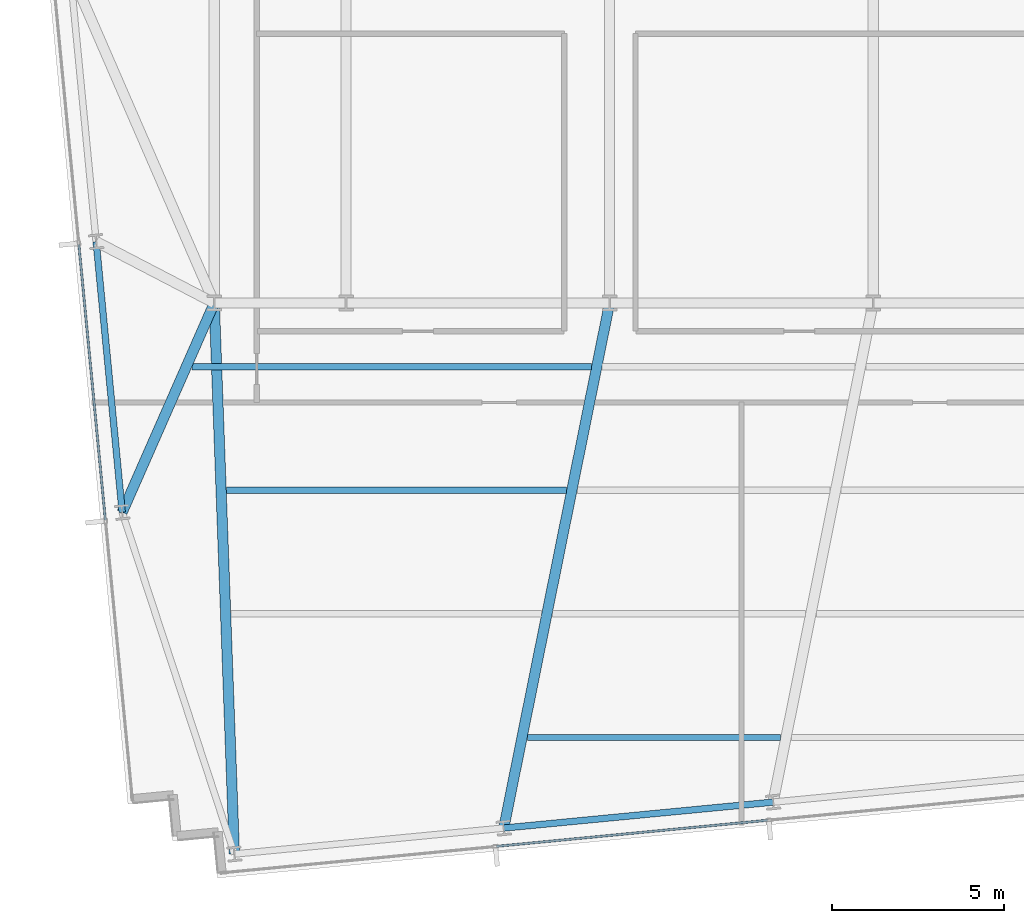
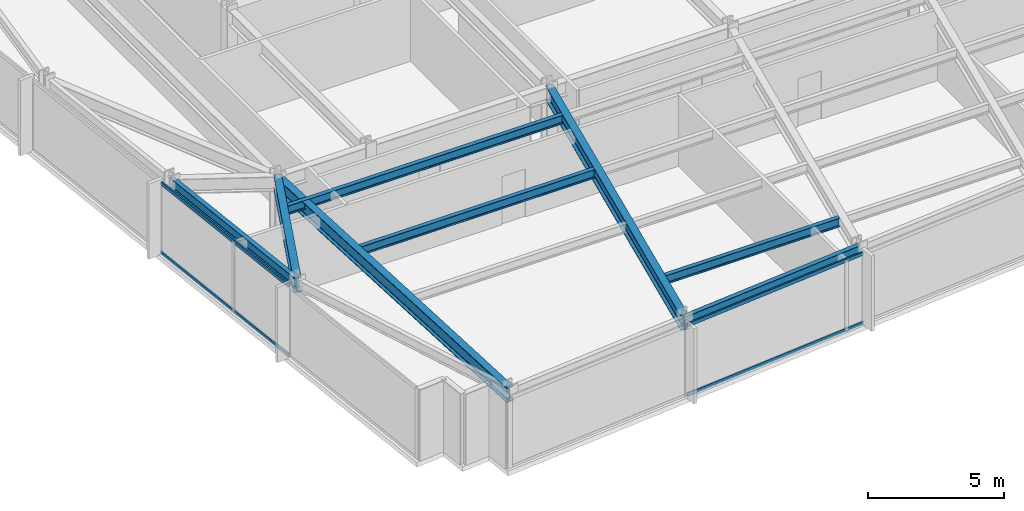
# One storey, part 3 of 32: 8 beams, 4 members, 2 elements without a shape of their own.
"""IFC4 building model written with IfcOpenShell, lengths in metres."""

from ifc_helpers import new_model, si_unit, direction, frame, origin, origin_2d, place, context, subcontext, project, spatial, hollow_rectangle, i_section, extrude, material, material_profile, profile_set, type_object, element, aggregate, save


model = new_model("IFC4")

# Units and contexts
model_context = context("Model", 3, precision=1e-05, world=origin(), true_north=direction((0.0, 1.0)))
body_context = subcontext(model_context, "Body", "Model", "MODEL_VIEW")
ifc_project = project(units=[si_unit("LENGTHUNIT", "METRE"), si_unit("AREAUNIT", "SQUARE_METRE"), si_unit("VOLUMEUNIT", "CUBIC_METRE"), si_unit("PLANEANGLEUNIT", "RADIAN"), si_unit("MASSUNIT", "GRAM", prefix="KILO")], contexts=[model_context])

# Site, building, storey
site_placement = place(None, origin())
site = spatial("IfcSite", under=ifc_project, at=site_placement, CompositionType="ELEMENT")
building_placement = place(site_placement, origin())
building = spatial("IfcBuilding", under=site, at=building_placement, Name="Yelkora Congress Tower", CompositionType="ELEMENT")
storey_placement = place(building_placement, frame((0.0, 0.0, 96.5)))
storey = spatial("IfcBuildingStorey", under=building, at=storey_placement, Name="L25", CompositionType="ELEMENT", Elevation=96.5)

# Beams
ifc_material_1 = material(Name="Steel S355J2", Category="steel")
ifc_material_profile_1 = material_profile(ifc_material_1, i_section(OverallWidth=0.300048828125, OverallDepth=0.64990234375, WebThickness=0.01611328125, FlangeThickness=0.031005859375, FilletRadius=0.027099609375, at=origin_2d()), Name="HEB 650")
ifc_profile_set_1 = profile_set([ifc_material_profile_1], Name="Steel S355J2")
beam_type_1 = type_object("IfcBeamType", Name="BM-GIRD-HEB650", PredefinedType="BEAM", material=ifc_profile_set_1)
beam_1_placement = place(storey_placement, frame((19.785888671875, 9.144287109375, 2.85498046875), z_axis=(-0.03646985294, 0.999334753637, 0.0), x_axis=(-0.999334753637, -0.03646985294, 0.0)))
element("IfcBeam", 1, at=beam_1_placement, inside=storey, type_object=beam_type_1, Name="L25 Primary Frame Girder S01", PredefinedType="BEAM", context=body_context, shape_type="SweptSolid", body=[
    extrude(i_section(OverallWidth=0.300048828125, OverallDepth=0.64990234375, WebThickness=0.01611328125, FlangeThickness=0.031005859375, FilletRadius=0.027099609375, at=origin_2d()), origin(), (0.0, 0.0, 1.0), 16.06640625),
])
beam_2_placement = place(storey_placement, frame((27.635498046875, 9.900146484375, 2.85498046875), z_axis=(0.197625995154, 0.980277494406, 0.0), x_axis=(-0.980277494406, 0.197625995154, 0.0)))
element("IfcBeam", 2, at=beam_2_placement, inside=storey, type_object=beam_type_1, Name="L25 Primary Frame Girder S02", PredefinedType="BEAM", context=body_context, shape_type="SweptSolid", body=[
    extrude(i_section(OverallWidth=0.300048828125, OverallDepth=0.64990234375, WebThickness=0.01611328125, FlangeThickness=0.031005859375, FilletRadius=0.027099609375, at=origin_2d()), origin(), (0.0, 0.0, 1.0), 15.607666015625),
])
beam_3_placement = place(storey_placement, frame((16.5166015625, 19.101806640625, 2.85498046875), z_axis=(0.402759490709, 0.915305846504, 0.0), x_axis=(-0.915305846504, 0.402759490709, 0.0)))
element("IfcBeam", 3, at=beam_3_placement, inside=storey, type_object=beam_type_1, Name="L25 Primary Frame Girder W01", PredefinedType="BEAM", context=body_context, shape_type="SweptSolid", body=[
    extrude(i_section(OverallWidth=0.300048828125, OverallDepth=0.64990234375, WebThickness=0.01611328125, FlangeThickness=0.031005859375, FilletRadius=0.027099609375, at=origin_2d()), origin(), (0.0, 0.0, 1.0), 6.662353515625),
])
ifc_material_profile_2 = material_profile(ifc_material_1, i_section(OverallWidth=0.179931640625, OverallDepth=0.39990234375, WebThickness=0.008544921875, FlangeThickness=0.013427734375, FilletRadius=0.02099609375, at=origin_2d()), Name="IPE 400")
ifc_profile_set_2 = profile_set([ifc_material_profile_2], Name="Steel S355J2")
beam_type_2 = type_object("IfcBeamType", Name="BM-JOIST-IPE400", PredefinedType="JOIST", material=ifc_profile_set_2)
beam_4_placement = place(storey_placement, frame((28.32861328125, 12.54443359375, 2.97998046875), z_axis=(1.0, 0.0, 0.0), x_axis=(0.0, 1.0, 0.0)))
element("IfcBeam", 4, at=beam_4_placement, inside=storey, type_object=beam_type_2, Name="L25 Composite Floor Joist 1", PredefinedType="JOIST", context=body_context, shape_type="SweptSolid", body=[
    extrude(i_section(OverallWidth=0.179931640625, OverallDepth=0.39990234375, WebThickness=0.008544921875, FlangeThickness=0.013427734375, FilletRadius=0.02099609375, at=origin_2d()), origin(), (0.0, 0.0, 1.0), 7.374755859375),
])
beam_5_placement = place(storey_placement, frame((19.55908203125, 19.744384765625, 2.97998046875), z_axis=(1.0, 0.0, 0.0), x_axis=(0.0, 1.0, 0.0)))
element("IfcBeam", 5, at=beam_5_placement, inside=storey, type_object=beam_type_2, Name="L25 Composite Floor Joist 11", PredefinedType="JOIST", context=body_context, shape_type="SweptSolid", body=[
    extrude(i_section(OverallWidth=0.179931640625, OverallDepth=0.39990234375, WebThickness=0.008544921875, FlangeThickness=0.013427734375, FilletRadius=0.02099609375, at=origin_2d()), origin(), (0.0, 0.0, 1.0), 9.901123046875),
])
beam_6_placement = place(storey_placement, frame((18.54345703125, 23.344482421875, 2.97998046875), z_axis=(1.0, 0.0, 0.0), x_axis=(0.0, 1.0, 0.0)))
element("IfcBeam", 6, at=beam_6_placement, inside=storey, type_object=beam_type_2, Name="L25 Composite Floor Joist 18", PredefinedType="JOIST", context=body_context, shape_type="SweptSolid", body=[
    extrude(i_section(OverallWidth=0.179931640625, OverallDepth=0.39990234375, WebThickness=0.008544921875, FlangeThickness=0.013427734375, FilletRadius=0.02099609375, at=origin_2d()), origin(), (0.0, 0.0, 1.0), 11.642333984375),
])
ifc_material_profile_3 = material_profile(ifc_material_1, i_section(OverallWidth=0.18994140625, OverallDepth=0.449951171875, WebThickness=0.009521484375, FlangeThickness=0.0146484375, FilletRadius=0.02099609375, at=origin_2d()), Name="IPE 450")
ifc_profile_set_3 = profile_set([ifc_material_profile_3], Name="Steel S355J2")
beam_type_3 = type_object("IfcBeamType", Name="BM-SPAN-IPE450", PredefinedType="SPANDREL", material=ifc_profile_set_3)
beam_7_placement = place(storey_placement, frame((15.757080078125, 26.990478515625, 2.955078125), z_axis=(0.09583684824, -0.995397055712, 0.0), x_axis=(0.995397055712, 0.09583684824, 0.0)))
element("IfcBeam", 7, at=beam_7_placement, inside=storey, type_object=beam_type_3, Name="L25 Perimeter Beam 1", PredefinedType="SPANDREL", context=body_context, shape_type="SweptSolid", body=[
    extrude(i_section(OverallWidth=0.18994140625, OverallDepth=0.449951171875, WebThickness=0.009521484375, FlangeThickness=0.0146484375, FilletRadius=0.02099609375, at=origin_2d()), origin(), (0.0, 0.0, 1.0), 7.925048828125),
])
beam_8_placement = place(storey_placement, frame((27.635498046875, 9.900146484375, 2.955078125), z_axis=(0.995395575667, 0.095852219286, 0.0), x_axis=(-0.095852219286, 0.995395575667, 0.0)))
element("IfcBeam", 8, at=beam_8_placement, inside=storey, type_object=beam_type_3, Name="L25 Perimeter Beam 4", PredefinedType="SPANDREL", context=body_context, shape_type="SweptSolid", body=[
    extrude(i_section(OverallWidth=0.18994140625, OverallDepth=0.449951171875, WebThickness=0.009521484375, FlangeThickness=0.0146484375, FilletRadius=0.02099609375, at=origin_2d()), origin(), (0.0, 0.0, 1.0), 7.8857421875),
])

# Curtain wall, members
ifc_material_2 = material(Name="Anodised aluminium and insulated glass", Category="aluminium")
curtain_wall_type = type_object("IfcCurtainWallType", Name="CW-SYS-B2", PredefinedType="NOTDEFINED", material=ifc_material_2)
curtain_wall_1_placement = place(storey_placement, origin())
curtain_wall_1 = element("IfcCurtainWall", 9, at=curtain_wall_1_placement, inside=storey, type_object=curtain_wall_type, Name="L25 Unitised Curtain Wall 5", PredefinedType="NOTDEFINED")
ifc_material_3 = material(Name="Anodised aluminium 6063-T6", Category="aluminium")
ifc_material_profile_4 = material_profile(ifc_material_3, hollow_rectangle(XDim=0.06494140625, YDim=0.159912109375, WallThickness=0.00390625, at=origin_2d()), Name="ALU 65x160x4")
ifc_profile_set_4 = profile_set([ifc_material_profile_4], Name="Anodised aluminium 6063-T6")
member_type = type_object("IfcMemberType", Name="MEM-TR-B2", PredefinedType="USERDEFINED", material=ifc_profile_set_4)
member_1_placement = place(storey_placement, frame((16.025146484375, 18.8837890625, 0.032470703125), z_axis=(-0.095838228465, 0.995396922823, 0.0), x_axis=(-0.995396922823, -0.095838228465, 0.0)))
member_1 = element("IfcMember", 10, at=member_1_placement, type_object=member_type, Name="CW-B2 transom 2.1", ObjectType="TRANSOM", PredefinedType="USERDEFINED", context=body_context, shape_type="SweptSolid", body=[
    extrude(hollow_rectangle(XDim=0.06494140625, YDim=0.159912109375, WallThickness=0.00390625, at=origin_2d()), origin(), (0.0, 0.0, 1.0), 8.06005859375),
])
member_2_placement = place(storey_placement, frame((16.025146484375, 18.8837890625, 3.1474609375), z_axis=(-0.095838228465, 0.995396922823, 0.0), x_axis=(-0.995396922823, -0.095838228465, 0.0)))
member_2 = element("IfcMember", 11, at=member_2_placement, type_object=member_type, Name="CW-B2 transom 2.2", ObjectType="TRANSOM", PredefinedType="USERDEFINED", context=body_context, shape_type="SweptSolid", body=[
    extrude(hollow_rectangle(XDim=0.06494140625, YDim=0.159912109375, WallThickness=0.00390625, at=origin_2d()), origin(), (0.0, 0.0, 1.0), 8.06005859375),
])
aggregate(curtain_wall_1, [member_1, member_2])

curtain_wall_2_placement = place(storey_placement, origin())
curtain_wall_2 = element("IfcCurtainWall", 12, at=curtain_wall_2_placement, inside=storey, type_object=curtain_wall_type, Name="L25 Unitised Curtain Wall 20", PredefinedType="NOTDEFINED")
member_3_placement = place(storey_placement, frame((35.323974609375, 10.128173828125, 0.032470703125), z_axis=(-0.995397293396, -0.095834379534, 0.0), x_axis=(0.095834379534, -0.995397293396, 0.0)))
member_3 = element("IfcMember", 13, at=member_3_placement, type_object=member_type, Name="CW-B2 transom 6.1", ObjectType="TRANSOM", PredefinedType="USERDEFINED", context=body_context, shape_type="SweptSolid", body=[
    extrude(hollow_rectangle(XDim=0.06494140625, YDim=0.159912109375, WallThickness=0.00390625, at=origin_2d()), origin(), (0.0, 0.0, 1.0), 7.93310546875),
])
member_4_placement = place(storey_placement, frame((35.323974609375, 10.128173828125, 3.1474609375), z_axis=(-0.995397293396, -0.095834379534, 0.0), x_axis=(0.095834379534, -0.995397293396, 0.0)))
member_4 = element("IfcMember", 14, at=member_4_placement, type_object=member_type, Name="CW-B2 transom 6.2", ObjectType="TRANSOM", PredefinedType="USERDEFINED", context=body_context, shape_type="SweptSolid", body=[
    extrude(hollow_rectangle(XDim=0.06494140625, YDim=0.159912109375, WallThickness=0.00390625, at=origin_2d()), origin(), (0.0, 0.0, 1.0), 7.93310546875),
])
aggregate(curtain_wall_2, [member_3, member_4])

save(model, "model.ifc")
